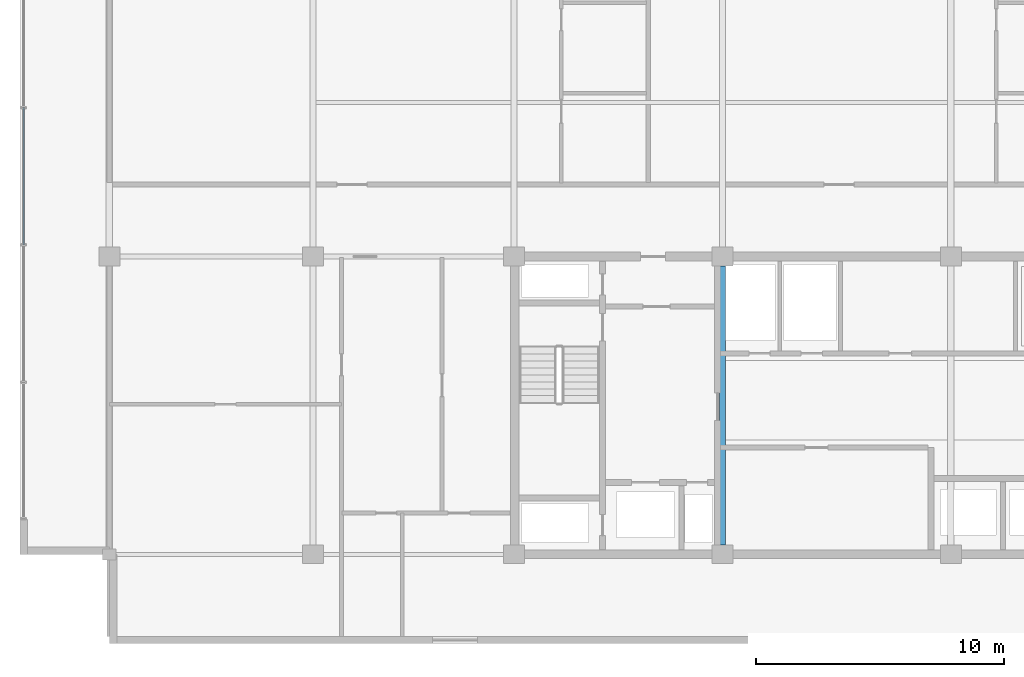
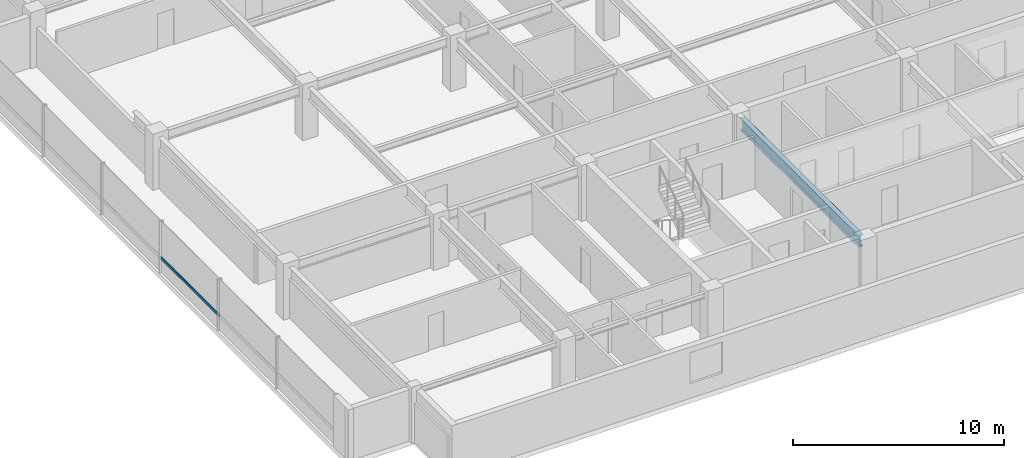
# One storey, part 5 of 32: 1 beam, 1 member, 1 element without a shape of its own.
"""IFC4 building model written with IfcOpenShell, lengths in metres."""

from ifc_helpers import new_model, si_unit, direction, frame, origin, origin_2d, place, context, subcontext, project, spatial, hollow_rectangle, i_section, extrude, material, layer, layer_set, material_profile, profile_set, type_object, element, aggregate, save


model = new_model("IFC4")

# Units and contexts
model_context = context("Model", 3, precision=1e-05, world=origin(), true_north=direction((0.0, 1.0)))
body_context = subcontext(model_context, "Body", "Model", "MODEL_VIEW")
ifc_project = project(units=[si_unit("LENGTHUNIT", "METRE"), si_unit("AREAUNIT", "SQUARE_METRE"), si_unit("VOLUMEUNIT", "CUBIC_METRE"), si_unit("PLANEANGLEUNIT", "RADIAN"), si_unit("MASSUNIT", "GRAM", prefix="KILO")], contexts=[model_context])

# Site, building, storey
site_placement = place(None, origin())
site = spatial("IfcSite", under=ifc_project, at=site_placement, CompositionType="ELEMENT")
building_placement = place(site_placement, origin())
building = spatial("IfcBuilding", under=site, at=building_placement, Name="Korimba Cascade Residences", CompositionType="ELEMENT")
storey_placement = place(building_placement, frame((0.0, 0.0, 178.35009765625)))
storey = spatial("IfcBuildingStorey", under=building, at=storey_placement, Name="L51", CompositionType="ELEMENT", Elevation=178.35009765625)

# Beam
ifc_material_1 = material(Name="Steel S355", Category="steel")
ifc_material_profile_1 = material_profile(ifc_material_1, i_section(OverallWidth=0.255859375, OverallDepth=0.69287109375, WebThickness=0.014404296875, FlangeThickness=0.023681640625, FilletRadius=0.01513671875, at=origin_2d()), Name="Steel S355")
ifc_profile_set_1 = profile_set([ifc_material_profile_1], Name="Steel S355")
beam_type = type_object("IfcBeamType", Name="BM-STL-UB686", PredefinedType="BEAM", material=ifc_profile_set_1)
beam_placement = place(storey_placement, frame((84.5, 55.574951171875, 2.623291015625), z_axis=(0.0, 1.0, 0.0), x_axis=(-1.0, 0.0, 0.0)))
element("IfcBeam", 1, at=beam_placement, inside=storey, type_object=beam_type, Name="L51 T1 N-S Girder X4 Seg 1", PredefinedType="BEAM", context=body_context, shape_type="SweptSolid", body=[
    extrude(i_section(OverallWidth=0.255859375, OverallDepth=0.69287109375, WebThickness=0.014404296875, FlangeThickness=0.023681640625, FilletRadius=0.01513671875, at=origin_2d()), origin(), (0.0, 0.0, 1.0), 11.25),
])

# Curtain wall, member
ifc_material_2 = material(Name="Anodised Aluminium Curtain Wall Framing", Category="aluminium")
ifc_layer = layer(ifc_material_2, 0.179931640625)
ifc_layer_set = layer_set([ifc_layer], Name="Anodised Aluminium Curtain Wall Framing")
curtain_wall_type = type_object("IfcCurtainWallType", Name="CW-SKY-SYS2", PredefinedType="NOTDEFINED", material=ifc_layer_set)
curtain_wall_placement = place(storey_placement, origin())
curtain_wall = element("IfcCurtainWall", 2, at=curtain_wall_placement, inside=storey, type_object=curtain_wall_type, Name="L51 Curtain Wall CW-L51-T1-E9", PredefinedType="NOTDEFINED")
ifc_material_3 = material(Name="Anodised Aluminium Transom", Category="aluminium")
ifc_material_profile_2 = material_profile(ifc_material_3, hollow_rectangle(XDim=0.070068359375, YDim=0.179931640625, WallThickness=0.0048828125, InnerFilletRadius=0.0048828125, OuterFilletRadius=0.010009765625, at=origin_2d()), Name="Anodised Aluminium Transom")
ifc_profile_set_2 = profile_set([ifc_material_profile_2], Name="Anodised Aluminium Transom")
member_type = type_object("IfcMemberType", Name="CWM-TRN-150", PredefinedType="USERDEFINED", material=ifc_profile_set_2)
member_placement = place(storey_placement, frame((56.35009765625, 73.199951171875, 0.83154296875), z_axis=(0.0, -1.0, 0.0), x_axis=(1.0, 0.0, 0.0)))
member = element("IfcMember", 3, at=member_placement, type_object=member_type, Name="CW-L51-T1-E9 Transom 4", ObjectType="TRANSOM", PredefinedType="USERDEFINED", context=body_context, shape_type="SweptSolid", body=[
    extrude(hollow_rectangle(XDim=0.070068359375, YDim=0.179931640625, WallThickness=0.0048828125, InnerFilletRadius=0.0048828125, OuterFilletRadius=0.010009765625, at=origin_2d()), origin(), (0.0, 0.0, 1.0), 5.533203125),
])
aggregate(curtain_wall, [member])

save(model, "model.ifc")
